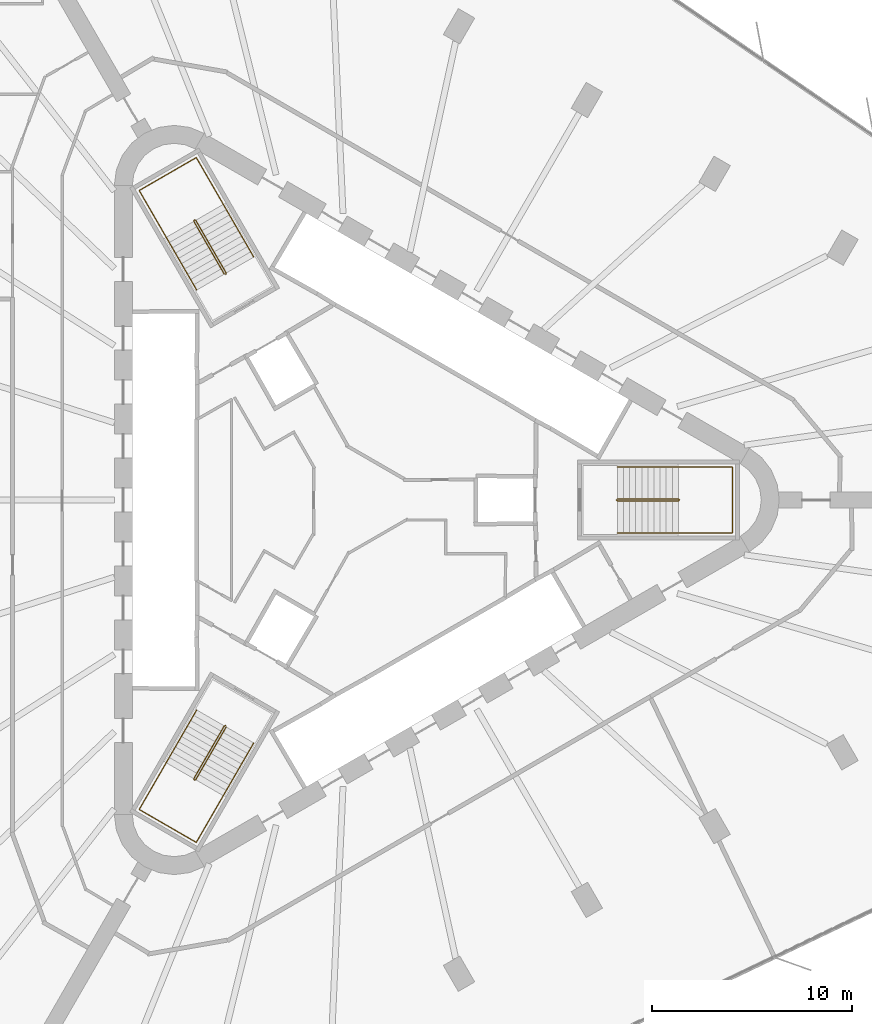
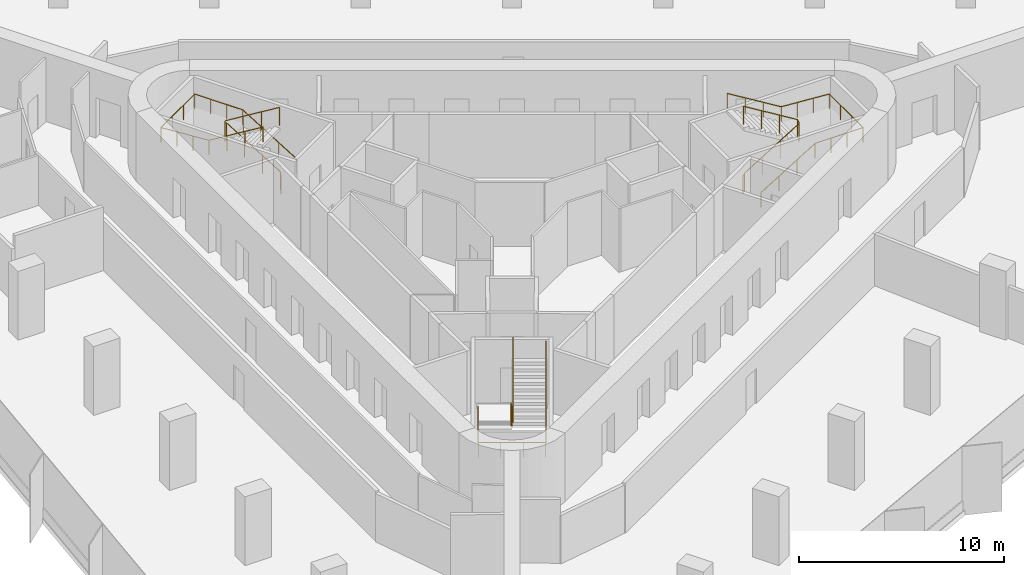
# One storey, part 14 of 14: 6 railings.
"""IFC4 building model written with IfcOpenShell, lengths in metres."""

from ifc_helpers import new_model, si_unit, direction, frame, origin, origin_2d, place, context, subcontext, project, spatial, circle, extrude, material, type_object, element, save


model = new_model("IFC4")

# Units and contexts
model_context = context("Model", 3, precision=1e-05, world=origin(), true_north=direction((0.0, 1.0)))
body_context = subcontext(model_context, "Body", "Model", "MODEL_VIEW")
ifc_project = project(units=[si_unit("LENGTHUNIT", "METRE"), si_unit("AREAUNIT", "SQUARE_METRE"), si_unit("VOLUMEUNIT", "CUBIC_METRE"), si_unit("PLANEANGLEUNIT", "RADIAN"), si_unit("MASSUNIT", "GRAM", prefix="KILO")], contexts=[model_context])

# Site, building, storey
site_placement = place(None, origin())
site = spatial("IfcSite", under=ifc_project, at=site_placement, CompositionType="ELEMENT")
building_placement = place(site_placement, origin())
building = spatial("IfcBuilding", under=site, at=building_placement, Name="Tanit Gate Tower", CompositionType="ELEMENT")
storey_placement = place(building_placement, frame((0.0, 0.0, 86.5)))
storey = spatial("IfcBuildingStorey", under=building, at=storey_placement, Name="L17", CompositionType="ELEMENT", Elevation=86.5)

# Railings
ifc_material_1 = material(Name="Stainless steel balustrade", Category="steel")
railing_type_1 = type_object("IfcRailingType", Name="INT-STAIR-GUARD", PredefinedType="GUARDRAIL", material=ifc_material_1)
railing_1_placement = place(storey_placement, frame((13.044921875, 0.0048828125, 0.0)))
element("IfcRailing", 1, at=railing_1_placement, inside=storey, type_object=railing_type_1, Name="L17 S1 stair guard 1", PredefinedType="GUARDRAIL", context=body_context, shape_type="SweptSolid", body=[
    extrude(circle(Radius=0.02392578125, at=origin_2d()), frame((0.0, 0.0, 1.076171875), z_axis=(0.0, -1.0, 0.0), x_axis=(1.0, 0.0, 0.0)), (0.0, 0.0, 1.0), 0.009765625),
    extrude(circle(Radius=0.02392578125, at=origin_2d()), frame((0.0, -0.009765625, 1.076171875), z_axis=(0.251157038772, -0.251157038772, 0.934794246747), x_axis=(0.707106781187, 0.707106781187, 0.0)), (0.0, 0.0, 1.0), 0.19921875),
    extrude(circle(Radius=0.02392578125, at=origin_2d()), frame((0.050048828125, -0.059814453125, 1.26220703125), z_axis=(0.853374658889, 0.0, 0.521298083217), x_axis=(0.0, 1.0, 0.0)), (0.0, 0.0, 1.0), 3.5751953125),
    extrude(circle(Radius=0.02392578125, at=origin_2d()), frame((3.10107421875, -0.059814453125, 3.1259765625), z_axis=(0.707106781187, 0.707106781187, 0.0), x_axis=(-0.707106781187, 0.707106781187, 0.0)), (0.0, 0.0, 1.0), 0.07080078125),
    extrude(circle(Radius=0.02392578125, at=origin_2d()), frame((3.151123046875, -0.009765625, 3.1259765625), z_axis=(0.0, 1.0, 0.0), x_axis=(-1.0, 0.0, 0.0)), (0.0, 0.0, 1.0), 0.009765625),
    extrude(circle(Radius=0.02392578125, at=origin_2d()), frame((3.151123046875, 0.0, 3.1259765625), z_axis=(-0.251157038772, 0.251157038772, 0.934794246747), x_axis=(-0.707106781187, -0.707106781187, 0.0)), (0.0, 0.0, 1.0), 0.19921875),
    extrude(circle(Radius=0.02392578125, at=origin_2d()), frame((3.10107421875, 0.050048828125, 3.3125), z_axis=(-0.853374658889, 0.0, 0.521298083217), x_axis=(0.0, -1.0, 0.0)), (0.0, 0.0, 1.0), 3.5751953125),
    extrude(circle(Radius=0.02099609375, at=origin_2d()), origin(), (0.0, 0.0, 1.0), 1.052001953125),
    extrude(circle(Radius=0.02099609375, at=origin_2d()), frame((0.0, -0.009765625, 0.0)), (0.0, 0.0, 1.0), 1.052001953125),
    extrude(circle(Radius=0.02099609375, at=origin_2d()), frame((0.050048828125, -0.059814453125, 0.186279296875)), (0.0, 0.0, 1.0), 1.052001953125),
    extrude(circle(Radius=0.02099609375, at=origin_2d()), frame((1.067138671875, -0.059814453125, 0.8076171875)), (0.0, 0.0, 1.0), 1.052001953125),
    extrude(circle(Radius=0.02099609375, at=origin_2d()), frame((2.083984375, -0.059814453125, 1.4287109375)), (0.0, 0.0, 1.0), 1.052001953125),
    extrude(circle(Radius=0.02099609375, at=origin_2d()), frame((3.10107421875, -0.059814453125, 2.050048828125)), (0.0, 0.0, 1.0), 1.052001953125),
    extrude(circle(Radius=0.02099609375, at=origin_2d()), frame((3.151123046875, -0.009765625, 2.050048828125)), (0.0, 0.0, 1.0), 1.052001953125),
    extrude(circle(Radius=0.02099609375, at=origin_2d()), frame((3.151123046875, 0.0, 2.050048828125)), (0.0, 0.0, 1.0), 1.052001953125),
    extrude(circle(Radius=0.02099609375, at=origin_2d()), frame((3.10107421875, 0.050048828125, 2.236328125)), (0.0, 0.0, 1.0), 1.052001953125),
    extrude(circle(Radius=0.02099609375, at=origin_2d()), frame((2.083984375, 0.050048828125, 2.857666015625)), (0.0, 0.0, 1.0), 1.052001953125),
    extrude(circle(Radius=0.02099609375, at=origin_2d()), frame((1.067138671875, 0.050048828125, 3.478759765625)), (0.0, 0.0, 1.0), 1.052001953125),
    extrude(circle(Radius=0.02099609375, at=origin_2d()), frame((0.050048828125, 0.050048828125, 4.10009765625)), (0.0, 0.0, 1.0), 1.052001953125),
])
railing_2_placement = place(storey_placement, frame((-6.527099609375, 11.29345703125, 0.0)))
element("IfcRailing", 2, at=railing_2_placement, inside=storey, type_object=railing_type_1, Name="L17 S2 stair guard 1", PredefinedType="GUARDRAIL", context=body_context, shape_type="SweptSolid", body=[
    extrude(circle(Radius=0.02392578125, at=origin_2d()), frame((0.0, 0.0, 1.076171875), z_axis=(0.868243142124, 0.496138938357, 0.0), x_axis=(-0.496138938357, 0.868243142124, 0.0)), (0.0, 0.0, 1.0), 0.01171875),
    extrude(circle(Radius=0.02392578125, at=origin_2d()), frame((0.01025390625, 0.005859375, 1.076171875), z_axis=(0.091888445584, 0.343050196848, 0.93481178641), x_axis=(-0.965948051503, 0.258736085224, 0.0)), (0.0, 0.0, 1.0), 0.19921875),
    extrude(circle(Radius=0.02392578125, at=origin_2d()), frame((0.028564453125, 0.07421875, 1.26220703125), z_axis=(-0.426636495959, 0.738911183393, 0.521528104107), x_axis=(-0.866012246495, -0.500022788402, 0.0)), (0.0, 0.0, 1.0), 3.57373046875),
    extrude(circle(Radius=0.02392578125, at=origin_2d()), frame((-1.49609375, 2.71484375, 3.1259765625), z_axis=(-0.965715946433, 0.259601060869, 0.0), x_axis=(-0.259601060869, -0.965715946433, 0.0)), (0.0, 0.0, 1.0), 0.070556640625),
    extrude(circle(Radius=0.02392578125, at=origin_2d()), frame((-1.564208984375, 2.733154296875, 3.1259765625), z_axis=(-0.873197702015, -0.487366159264, 0.0), x_axis=(0.487366159264, -0.873197702015, 0.0)), (0.0, 0.0, 1.0), 0.011962890625),
    extrude(circle(Radius=0.02392578125, at=origin_2d()), frame((-1.57470703125, 2.727294921875, 3.1259765625), z_axis=(-0.091888445584, -0.343050196848, 0.93481178641), x_axis=(0.965948051503, -0.258736085224, 0.0)), (0.0, 0.0, 1.0), 0.19921875),
    extrude(circle(Radius=0.02392578125, at=origin_2d()), frame((-1.593017578125, 2.658935546875, 3.3125), z_axis=(0.426636495959, -0.738911183393, 0.521528104107), x_axis=(0.866012246495, 0.500022788402, 0.0)), (0.0, 0.0, 1.0), 3.57373046875),
    extrude(circle(Radius=0.02099609375, at=origin_2d()), origin(), (0.0, 0.0, 1.0), 1.052001953125),
    extrude(circle(Radius=0.02099609375, at=origin_2d()), frame((0.01025390625, 0.005859375, 0.0)), (0.0, 0.0, 1.0), 1.052001953125),
    extrude(circle(Radius=0.02099609375, at=origin_2d()), frame((0.028564453125, 0.07421875, 0.186279296875)), (0.0, 0.0, 1.0), 1.052001953125),
    extrude(circle(Radius=0.02099609375, at=origin_2d()), frame((-0.479736328125, 0.954345703125, 0.8076171875)), (0.0, 0.0, 1.0), 1.052001953125),
    extrude(circle(Radius=0.02099609375, at=origin_2d()), frame((-0.98779296875, 1.834716796875, 1.4287109375)), (0.0, 0.0, 1.0), 1.052001953125),
    extrude(circle(Radius=0.02099609375, at=origin_2d()), frame((-1.49609375, 2.71484375, 2.050048828125)), (0.0, 0.0, 1.0), 1.052001953125),
    extrude(circle(Radius=0.02099609375, at=origin_2d()), frame((-1.564208984375, 2.733154296875, 2.050048828125)), (0.0, 0.0, 1.0), 1.052001953125),
    extrude(circle(Radius=0.02099609375, at=origin_2d()), frame((-1.57470703125, 2.727294921875, 2.050048828125)), (0.0, 0.0, 1.0), 1.052001953125),
    extrude(circle(Radius=0.02099609375, at=origin_2d()), frame((-1.593017578125, 2.658935546875, 2.236328125)), (0.0, 0.0, 1.0), 1.052001953125),
    extrude(circle(Radius=0.02099609375, at=origin_2d()), frame((-1.084716796875, 1.77880859375, 2.857666015625)), (0.0, 0.0, 1.0), 1.052001953125),
    extrude(circle(Radius=0.02099609375, at=origin_2d()), frame((-0.57666015625, 0.8984375, 3.478759765625)), (0.0, 0.0, 1.0), 1.052001953125),
    extrude(circle(Radius=0.02099609375, at=origin_2d()), frame((-0.068359375, 0.018310546875, 4.10009765625)), (0.0, 0.0, 1.0), 1.052001953125),
])
railing_3_placement = place(storey_placement, frame((-6.51806640625, -11.2998046875, 0.0)))
element("IfcRailing", 3, at=railing_3_placement, inside=storey, type_object=railing_type_1, Name="L17 S3 stair guard 1", PredefinedType="GUARDRAIL", context=body_context, shape_type="SweptSolid", body=[
    extrude(circle(Radius=0.02392578125, at=origin_2d()), frame((0.0, 0.0, 1.076171875), z_axis=(-0.874157276122, 0.485642931179, 0.0), x_axis=(-0.485642931179, -0.874157276122, 0.0)), (0.0, 0.0, 1.0), 0.010009765625),
    extrude(circle(Radius=0.02392578125, at=origin_2d()), frame((-0.0087890625, 0.0048828125, 1.076171875), z_axis=(-0.343088566343, -0.090673406819, 0.934916343285), x_axis=(0.255512919477, -0.966805641264, 0.0)), (0.0, 0.0, 1.0), 0.19921875),
    extrude(circle(Radius=0.02392578125, at=origin_2d()), frame((-0.0771484375, -0.01318359375, 1.26220703125), z_axis=(-0.42665336134, -0.739063593114, 0.52129829713), x_axis=(0.866048339477, -0.499960272111, 0.0)), (0.0, 0.0, 1.0), 3.5751953125),
    extrude(circle(Radius=0.02392578125, at=origin_2d()), frame((-1.6025390625, -2.655517578125, 3.1259765625), z_axis=(0.258736085224, -0.965948051503, 0.0), x_axis=(0.965948051503, 0.258736085224, 0.0)), (0.0, 0.0, 1.0), 0.07080078125),
    extrude(circle(Radius=0.02392578125, at=origin_2d()), frame((-1.584228515625, -2.723876953125, 3.1259765625), z_axis=(0.868243142124, -0.496138938357, 0.0), x_axis=(0.496138938357, 0.868243142124, 0.0)), (0.0, 0.0, 1.0), 0.009765625),
    extrude(circle(Radius=0.02392578125, at=origin_2d()), frame((-1.57568359375, -2.728759765625, 3.1259765625), z_axis=(0.343050196848, 0.091888445584, 0.93481178641), x_axis=(-0.258736085224, 0.965948051503, 0.0)), (0.0, 0.0, 1.0), 0.19921875),
    extrude(circle(Radius=0.02392578125, at=origin_2d()), frame((-1.50732421875, -2.71044921875, 3.3125), z_axis=(0.42673074944, 0.739011069041, 0.521309416102), x_axis=(-0.865993683553, 0.500054937028, 0.0)), (0.0, 0.0, 1.0), 3.5751953125),
    extrude(circle(Radius=0.02099609375, at=origin_2d()), origin(), (0.0, 0.0, 1.0), 1.052001953125),
    extrude(circle(Radius=0.02099609375, at=origin_2d()), frame((-0.0087890625, 0.0048828125, 0.0)), (0.0, 0.0, 1.0), 1.052001953125),
    extrude(circle(Radius=0.02099609375, at=origin_2d()), frame((-0.0771484375, -0.01318359375, 0.186279296875)), (0.0, 0.0, 1.0), 1.052001953125),
    extrude(circle(Radius=0.02099609375, at=origin_2d()), frame((-0.585693359375, -0.89404296875, 0.8076171875)), (0.0, 0.0, 1.0), 1.052001953125),
    extrude(circle(Radius=0.02099609375, at=origin_2d()), frame((-1.093994140625, -1.774658203125, 1.4287109375)), (0.0, 0.0, 1.0), 1.052001953125),
    extrude(circle(Radius=0.02099609375, at=origin_2d()), frame((-1.6025390625, -2.655517578125, 2.050048828125)), (0.0, 0.0, 1.0), 1.052001953125),
    extrude(circle(Radius=0.02099609375, at=origin_2d()), frame((-1.584228515625, -2.723876953125, 2.050048828125)), (0.0, 0.0, 1.0), 1.052001953125),
    extrude(circle(Radius=0.02099609375, at=origin_2d()), frame((-1.57568359375, -2.728759765625, 2.050048828125)), (0.0, 0.0, 1.0), 1.052001953125),
    extrude(circle(Radius=0.02099609375, at=origin_2d()), frame((-1.50732421875, -2.71044921875, 2.236328125)), (0.0, 0.0, 1.0), 1.052001953125),
    extrude(circle(Radius=0.02099609375, at=origin_2d()), frame((-0.998779296875, -1.829833984375, 2.857666015625)), (0.0, 0.0, 1.0), 1.052001953125),
    extrude(circle(Radius=0.02099609375, at=origin_2d()), frame((-0.490234375, -0.948974609375, 3.478759765625)), (0.0, 0.0, 1.0), 1.052001953125),
    extrude(circle(Radius=0.02099609375, at=origin_2d()), frame((0.018310546875, -0.068359375, 4.10009765625)), (0.0, 0.0, 1.0), 1.052001953125),
])
ifc_material_2 = material(Name="Stainless steel handrail", Category="steel")
railing_type_2 = type_object("IfcRailingType", Name="INT-STAIR-HANDRAIL", PredefinedType="HANDRAIL", material=ifc_material_2)
railing_4_placement = place(storey_placement, frame((13.094970703125, -1.64990234375, 0.186279296875)))
element("IfcRailing", 4, at=railing_4_placement, inside=storey, type_object=railing_type_2, Name="L17 S1 stair handrail 1", PredefinedType="HANDRAIL", context=body_context, shape_type="SweptSolid", body=[
    extrude(circle(Radius=0.02392578125, at=origin_2d()), frame((0.0, 0.0, 0.8759765625), z_axis=(0.853374658889, 0.0, 0.521298083217), x_axis=(0.0, 1.0, 0.0)), (0.0, 0.0, 1.0), 3.5751953125),
    extrude(circle(Radius=0.02392578125, at=origin_2d()), frame((3.051025390625, 0.0, 2.73974609375), z_axis=(1.0, 0.0, 0.0), x_axis=(0.0, 1.0, 0.0)), (0.0, 0.0, 1.0), 2.7041015625),
    extrude(circle(Radius=0.02392578125, at=origin_2d()), frame((5.755126953125, 0.0, 2.73974609375), z_axis=(0.0, 1.0, 0.0), x_axis=(-1.0, 0.0, 0.0)), (0.0, 0.0, 1.0), 3.2998046875),
    extrude(circle(Radius=0.02392578125, at=origin_2d()), frame((5.755126953125, 3.2998046875, 2.73974609375), z_axis=(-0.997635655124, 0.0, 0.06872481084), x_axis=(0.0, -1.0, 0.0)), (0.0, 0.0, 1.0), 2.71044921875),
    extrude(circle(Radius=0.02392578125, at=origin_2d()), frame((3.051025390625, 3.2998046875, 2.92578125), z_axis=(-0.853374658889, 0.0, 0.521298083217), x_axis=(0.0, -1.0, 0.0)), (0.0, 0.0, 1.0), 3.5751953125),
    extrude(circle(Radius=0.02099609375, at=origin_2d()), origin(), (0.0, 0.0, 1.0), 0.851806640625),
    extrude(circle(Radius=0.02099609375, at=origin_2d()), frame((1.01708984375, 0.0, 0.621337890625)), (0.0, 0.0, 1.0), 0.851806640625),
    extrude(circle(Radius=0.02099609375, at=origin_2d()), frame((2.033935546875, 0.0, 1.242431640625)), (0.0, 0.0, 1.0), 0.851806640625),
    extrude(circle(Radius=0.02099609375, at=origin_2d()), frame((3.051025390625, 0.0, 1.86376953125)), (0.0, 0.0, 1.0), 0.851806640625),
    extrude(circle(Radius=0.02099609375, at=origin_2d()), frame((3.952392578125, 0.0, 1.86376953125)), (0.0, 0.0, 1.0), 0.851806640625),
    extrude(circle(Radius=0.02099609375, at=origin_2d()), frame((4.853759765625, 0.0, 1.86376953125)), (0.0, 0.0, 1.0), 0.851806640625),
    extrude(circle(Radius=0.02099609375, at=origin_2d()), frame((5.755126953125, 0.0, 1.86376953125)), (0.0, 0.0, 1.0), 0.851806640625),
    extrude(circle(Radius=0.02099609375, at=origin_2d()), frame((5.755126953125, 1.099853515625, 1.86376953125)), (0.0, 0.0, 1.0), 0.851806640625),
    extrude(circle(Radius=0.02099609375, at=origin_2d()), frame((5.755126953125, 2.199951171875, 1.86376953125)), (0.0, 0.0, 1.0), 0.851806640625),
    extrude(circle(Radius=0.02099609375, at=origin_2d()), frame((5.755126953125, 3.2998046875, 1.86376953125)), (0.0, 0.0, 1.0), 0.851806640625),
    extrude(circle(Radius=0.02099609375, at=origin_2d()), frame((4.853759765625, 3.2998046875, 1.92578125)), (0.0, 0.0, 1.0), 0.851806640625),
    extrude(circle(Radius=0.02099609375, at=origin_2d()), frame((3.952392578125, 3.2998046875, 1.988037109375)), (0.0, 0.0, 1.0), 0.851806640625),
    extrude(circle(Radius=0.02099609375, at=origin_2d()), frame((3.051025390625, 3.2998046875, 2.050048828125)), (0.0, 0.0, 1.0), 0.851806640625),
    extrude(circle(Radius=0.02099609375, at=origin_2d()), frame((2.033935546875, 3.2998046875, 2.67138671875)), (0.0, 0.0, 1.0), 0.851806640625),
    extrude(circle(Radius=0.02099609375, at=origin_2d()), frame((1.01708984375, 3.2998046875, 3.29248046875)), (0.0, 0.0, 1.0), 0.851806640625),
    extrude(circle(Radius=0.02099609375, at=origin_2d()), frame((0.0, 3.2998046875, 3.913818359375)), (0.0, 0.0, 1.0), 0.851806640625),
])
railing_5_placement = place(storey_placement, frame((-5.1181640625, 12.164794921875, 0.186279296875)))
element("IfcRailing", 5, at=railing_5_placement, inside=storey, type_object=railing_type_2, Name="L17 S2 stair handrail 1", PredefinedType="HANDRAIL", context=body_context, shape_type="SweptSolid", body=[
    extrude(circle(Radius=0.02392578125, at=origin_2d()), frame((0.0, 0.0, 0.8759765625), z_axis=(-0.426580611902, 0.738932719144, 0.521543304174), x_axis=(-0.866046917185, -0.499962735845, 0.0)), (0.0, 0.0, 1.0), 3.573486328125),
    extrude(circle(Radius=0.02392578125, at=origin_2d()), frame((-1.5244140625, 2.640625, 2.73974609375), z_axis=(-0.500019123664, 0.86601436245, 0.0), x_axis=(-0.86601436245, -0.500019123664, 0.0)), (0.0, 0.0, 1.0), 2.70703125),
    extrude(circle(Radius=0.02392578125, at=origin_2d()), frame((-2.8779296875, 4.98486328125, 2.73974609375), z_axis=(-0.866008176907, -0.50002983664, 0.0), x_axis=(0.50002983664, -0.866008176907, 0.0)), (0.0, 0.0, 1.0), 3.300048828125),
    extrude(circle(Radius=0.02392578125, at=origin_2d()), frame((-5.73583984375, 3.334716796875, 2.73974609375), z_axis=(0.498878146149, -0.863948246966, 0.06865873476), x_axis=(0.865991810323, 0.500058181068, 0.0)), (0.0, 0.0, 1.0), 2.713134765625),
    extrude(circle(Radius=0.02392578125, at=origin_2d()), frame((-4.38232421875, 0.99072265625, 2.92578125), z_axis=(0.42661496006, -0.738942197433, 0.521501778238), x_axis=(0.866032263162, 0.499988119021, 0.0)), (0.0, 0.0, 1.0), 3.57373046875),
    extrude(circle(Radius=0.02099609375, at=origin_2d()), origin(), (0.0, 0.0, 1.0), 0.851806640625),
    extrude(circle(Radius=0.02099609375, at=origin_2d()), frame((-0.508056640625, 0.880126953125, 0.621337890625)), (0.0, 0.0, 1.0), 0.851806640625),
    extrude(circle(Radius=0.02099609375, at=origin_2d()), frame((-1.016357421875, 1.760498046875, 1.242431640625)), (0.0, 0.0, 1.0), 0.851806640625),
    extrude(circle(Radius=0.02099609375, at=origin_2d()), frame((-1.5244140625, 2.640625, 1.86376953125)), (0.0, 0.0, 1.0), 0.851806640625),
    extrude(circle(Radius=0.02099609375, at=origin_2d()), frame((-1.9755859375, 3.422119140625, 1.86376953125)), (0.0, 0.0, 1.0), 0.851806640625),
    extrude(circle(Radius=0.02099609375, at=origin_2d()), frame((-2.4267578125, 4.203369140625, 1.86376953125)), (0.0, 0.0, 1.0), 0.851806640625),
    extrude(circle(Radius=0.02099609375, at=origin_2d()), frame((-2.8779296875, 4.98486328125, 1.86376953125)), (0.0, 0.0, 1.0), 0.851806640625),
    extrude(circle(Radius=0.02099609375, at=origin_2d()), frame((-3.83056640625, 4.434814453125, 1.86376953125)), (0.0, 0.0, 1.0), 0.851806640625),
    extrude(circle(Radius=0.02099609375, at=origin_2d()), frame((-4.783203125, 3.884765625, 1.86376953125)), (0.0, 0.0, 1.0), 0.851806640625),
    extrude(circle(Radius=0.02099609375, at=origin_2d()), frame((-5.73583984375, 3.334716796875, 1.86376953125)), (0.0, 0.0, 1.0), 0.851806640625),
    extrude(circle(Radius=0.02099609375, at=origin_2d()), frame((-5.28466796875, 2.553466796875, 1.92578125)), (0.0, 0.0, 1.0), 0.851806640625),
    extrude(circle(Radius=0.02099609375, at=origin_2d()), frame((-4.83349609375, 1.77197265625, 1.988037109375)), (0.0, 0.0, 1.0), 0.851806640625),
    extrude(circle(Radius=0.02099609375, at=origin_2d()), frame((-4.38232421875, 0.99072265625, 2.050048828125)), (0.0, 0.0, 1.0), 0.851806640625),
    extrude(circle(Radius=0.02099609375, at=origin_2d()), frame((-3.8740234375, 0.1103515625, 2.67138671875)), (0.0, 0.0, 1.0), 0.851806640625),
    extrude(circle(Radius=0.02099609375, at=origin_2d()), frame((-3.365966796875, -0.769775390625, 3.29248046875)), (0.0, 0.0, 1.0), 0.851806640625),
    extrude(circle(Radius=0.02099609375, at=origin_2d()), frame((-2.857666015625, -1.650146484375, 3.913818359375)), (0.0, 0.0, 1.0), 0.851806640625),
])
railing_6_placement = place(storey_placement, frame((-7.9765625, -10.515625, 0.186279296875)))
element("IfcRailing", 6, at=railing_6_placement, inside=storey, type_object=railing_type_2, Name="L17 S3 stair handrail 1", PredefinedType="HANDRAIL", context=body_context, shape_type="SweptSolid", body=[
    extrude(circle(Radius=0.02392578125, at=origin_2d()), frame((0.0, 0.0, 0.8759765625), z_axis=(-0.42665336134, -0.739063593114, 0.52129829713), x_axis=(0.866048339477, -0.499960272111, 0.0)), (0.0, 0.0, 1.0), 3.5751953125),
    extrude(circle(Radius=0.02392578125, at=origin_2d()), frame((-1.525390625, -2.642333984375, 2.73974609375), z_axis=(-0.50004290449, -0.866000631449, 0.0), x_axis=(0.866000631449, -0.50004290449, 0.0)), (0.0, 0.0, 1.0), 2.703857421875),
    extrude(circle(Radius=0.02392578125, at=origin_2d()), frame((-2.87744140625, -4.98388671875, 2.73974609375), z_axis=(0.866008176907, -0.50002983664, 0.0), x_axis=(0.50002983664, 0.866008176907, 0.0)), (0.0, 0.0, 1.0), 3.300048828125),
    extrude(circle(Radius=0.02392578125, at=origin_2d()), frame((-0.01953125, -6.634033203125, 2.73974609375), z_axis=(0.498821607388, 0.86397559734, 0.068725331607), x_axis=(-0.866023205937, 0.500003806764, 0.0)), (0.0, 0.0, 1.0), 2.71044921875),
    extrude(circle(Radius=0.02392578125, at=origin_2d()), frame((1.33251953125, -4.292236328125, 2.92578125), z_axis=(0.42665336134, 0.739063593114, 0.52129829713), x_axis=(-0.866048339477, 0.499960272111, 0.0)), (0.0, 0.0, 1.0), 3.5751953125),
    extrude(circle(Radius=0.02099609375, at=origin_2d()), origin(), (0.0, 0.0, 1.0), 0.851806640625),
    extrude(circle(Radius=0.02099609375, at=origin_2d()), frame((-0.508544921875, -0.880859375, 0.621337890625)), (0.0, 0.0, 1.0), 0.851806640625),
    extrude(circle(Radius=0.02099609375, at=origin_2d()), frame((-1.016845703125, -1.761474609375, 1.242431640625)), (0.0, 0.0, 1.0), 0.851806640625),
    extrude(circle(Radius=0.02099609375, at=origin_2d()), frame((-1.525390625, -2.642333984375, 1.86376953125)), (0.0, 0.0, 1.0), 0.851806640625),
    extrude(circle(Radius=0.02099609375, at=origin_2d()), frame((-1.97607421875, -3.4228515625, 1.86376953125)), (0.0, 0.0, 1.0), 0.851806640625),
    extrude(circle(Radius=0.02099609375, at=origin_2d()), frame((-2.4267578125, -4.203369140625, 1.86376953125)), (0.0, 0.0, 1.0), 0.851806640625),
    extrude(circle(Radius=0.02099609375, at=origin_2d()), frame((-2.87744140625, -4.98388671875, 1.86376953125)), (0.0, 0.0, 1.0), 0.851806640625),
    extrude(circle(Radius=0.02099609375, at=origin_2d()), frame((-1.9248046875, -5.533935546875, 1.86376953125)), (0.0, 0.0, 1.0), 0.851806640625),
    extrude(circle(Radius=0.02099609375, at=origin_2d()), frame((-0.97216796875, -6.083984375, 1.86376953125)), (0.0, 0.0, 1.0), 0.851806640625),
    extrude(circle(Radius=0.02099609375, at=origin_2d()), frame((-0.01953125, -6.634033203125, 1.86376953125)), (0.0, 0.0, 1.0), 0.851806640625),
    extrude(circle(Radius=0.02099609375, at=origin_2d()), frame((0.43115234375, -5.853515625, 1.92578125)), (0.0, 0.0, 1.0), 0.851806640625),
    extrude(circle(Radius=0.02099609375, at=origin_2d()), frame((0.8818359375, -5.07275390625, 1.988037109375)), (0.0, 0.0, 1.0), 0.851806640625),
    extrude(circle(Radius=0.02099609375, at=origin_2d()), frame((1.33251953125, -4.292236328125, 2.050048828125)), (0.0, 0.0, 1.0), 0.851806640625),
    extrude(circle(Radius=0.02099609375, at=origin_2d()), frame((1.841064453125, -3.411376953125, 2.67138671875)), (0.0, 0.0, 1.0), 0.851806640625),
    extrude(circle(Radius=0.02099609375, at=origin_2d()), frame((2.349365234375, -2.53076171875, 3.29248046875)), (0.0, 0.0, 1.0), 0.851806640625),
    extrude(circle(Radius=0.02099609375, at=origin_2d()), frame((2.85791015625, -1.64990234375, 3.913818359375)), (0.0, 0.0, 1.0), 0.851806640625),
])

save(model, "model.ifc")
